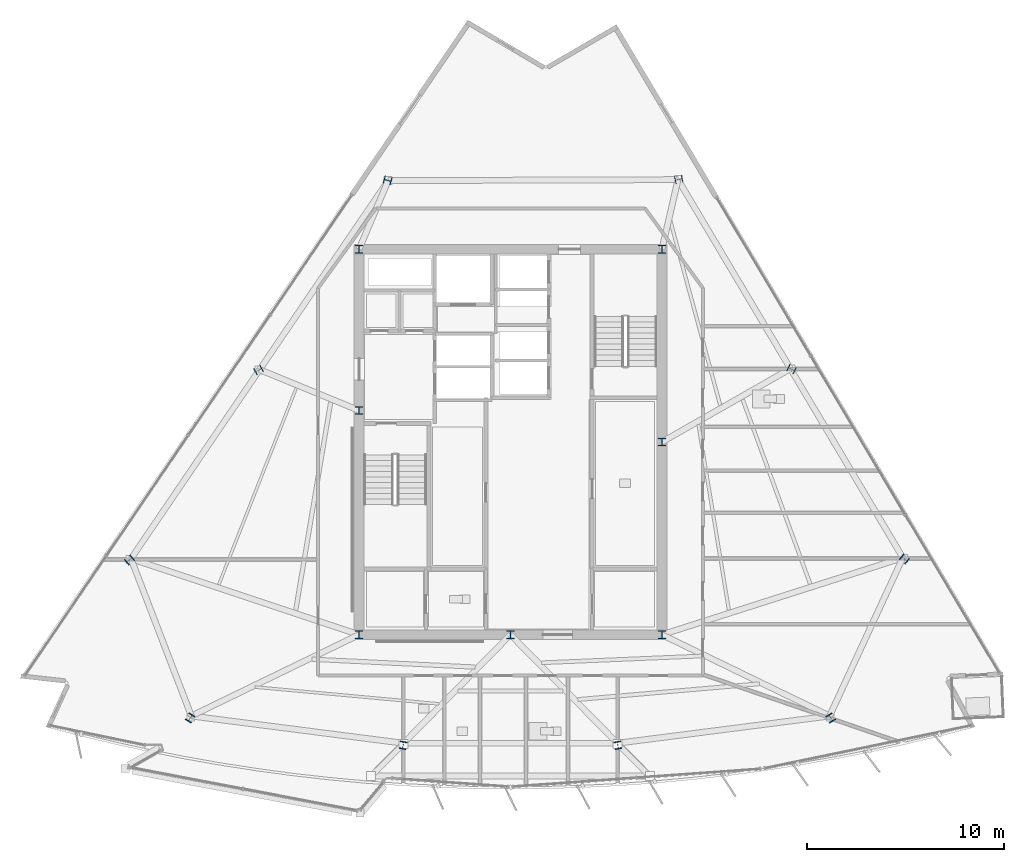
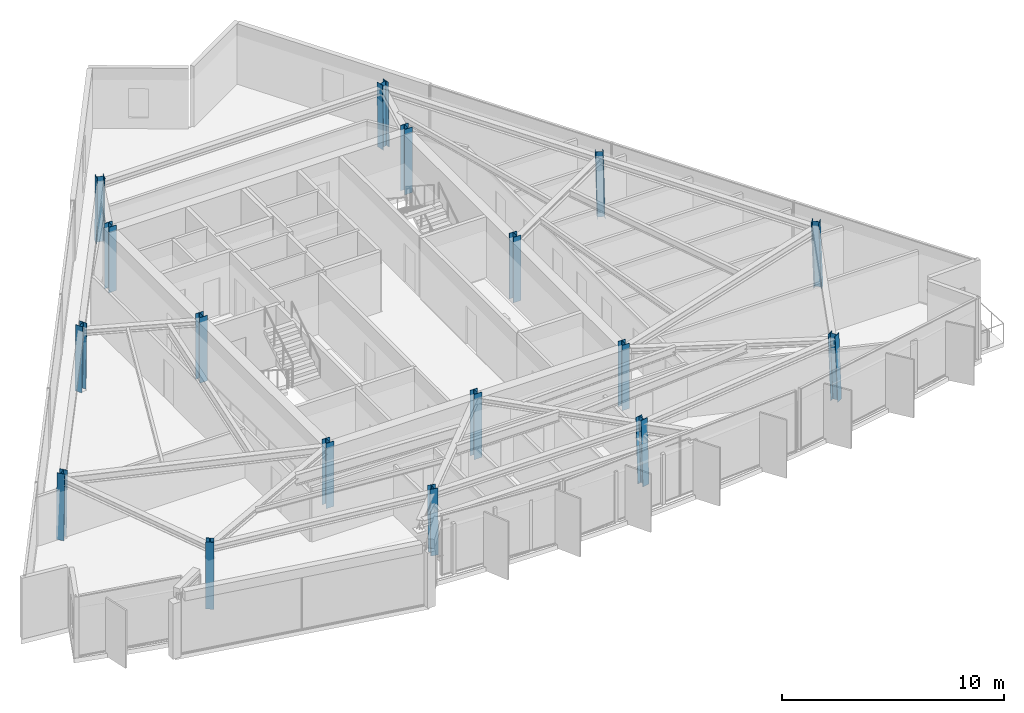
# One storey, part 1 of 14: 17 columns.
"""IFC4 building model written with IfcOpenShell, lengths in metres."""

import ifcopenshell
import ifcopenshell.guid

model = None  # the IFC model being written
_history = None  # IfcOwnerHistory: only IFC2X3 demands one
_inside = {}  # id of a spatial element -> (the spatial element, [elements in it])
_under = {}  # id of a project, library or spatial element -> (it, [spatial elements below it])
_declared = {}  # id of a project -> (the project, [libraries it declares])
_typed = {}  # id of a type object -> (the type object, [elements of that type])
_made_of = {}  # id of a material, layer set ... -> (it, [elements and type objects made of it])


def new_model(schema):
    """Start an empty IFC model of exactly this schema.

    Asked for "IFC4X3", IfcOpenShell would pick the latest addendum, in which some entities
    have other attributes; the version numbers below select the first issue.
    IFC2X3 requires an IfcOwnerHistory on every rooted entity: one is made here for all.
    """
    global model, _history
    if schema == "IFC4X3":
        model = ifcopenshell.file(schema_version=(4, 3, 0, 0))
    else:
        model = ifcopenshell.file(schema=schema)
    _inside.clear()
    _under.clear()
    _declared.clear()
    _typed.clear()
    _made_of.clear()
    _history = None
    if model.schema == "IFC2X3":
        org = make("IfcOrganization", Name="unknown")
        user = make(
            "IfcPersonAndOrganization",
            ThePerson=make("IfcPerson", FamilyName="unknown"),
            TheOrganization=org,
        )
        app = make(
            "IfcApplication",
            ApplicationDeveloper=org,
            Version="unknown",
            ApplicationFullName="unknown",
            ApplicationIdentifier="unknown",
        )
        _history = make(
            "IfcOwnerHistory",
            OwningUser=user,
            OwningApplication=app,
            ChangeAction="ADDED",
            CreationDate=0,
        )
    return model


def make(cls, **values):
    """One entity of the class cls with the attributes given. An attribute that is None is left unset."""
    return model.create_entity(
        cls, **{name: value for name, value in values.items() if value is not None}
    )


def rooted(cls, **values):
    """An entity with a GlobalId (a new one), such as an element, a storey or a relation."""
    return make(cls, GlobalId=ifcopenshell.guid.new(), OwnerHistory=_history, **values)


def si_unit(unit_type, name, prefix=None):
    """IfcSIUnit, for example si_unit("LENGTHUNIT", "METRE", prefix="MILLI")."""
    return make("IfcSIUnit", UnitType=unit_type, Prefix=prefix, Name=name)


def assignment(units):
    """IfcUnitAssignment: the units of a project."""
    return None if units is None else make("IfcUnitAssignment", Units=units)


def point(xyz):
    """IfcCartesianPoint."""
    return None if xyz is None else make("IfcCartesianPoint", Coordinates=xyz)


def direction(xyz):
    """IfcDirection."""
    return None if xyz is None else make("IfcDirection", DirectionRatios=xyz)


def frame(location, z_axis=None, x_axis=None):
    """IfcAxis2Placement3D, a coordinate frame: its origin and axes. An axis left out is left unset."""
    return make(
        "IfcAxis2Placement3D",
        Location=point(location),
        Axis=direction(z_axis),
        RefDirection=direction(x_axis),
    )


def frame_2d(location, x_axis=None):
    """IfcAxis2Placement2D, a coordinate frame in the plane: its origin and x axis."""
    return make(
        "IfcAxis2Placement2D", Location=point(location), RefDirection=direction(x_axis)
    )


def origin():
    """The frame at (0, 0, 0) with its axes left unset."""
    return frame((0.0, 0.0, 0.0))


def origin_2d():
    """The frame at (0, 0) in the plane with its x axis left unset."""
    return frame_2d((0.0, 0.0))


def place(relative_to, where):
    """IfcLocalPlacement: puts the frame where relative to a parent placement (None: the world)."""
    return make(
        "IfcLocalPlacement", PlacementRelTo=relative_to, RelativePlacement=where
    )


def context(
    kind, dimensions, precision=None, world=None, true_north=None, identifier=None
):
    """IfcGeometricRepresentationContext, for example the 3D "Model" context."""
    return make(
        "IfcGeometricRepresentationContext",
        ContextIdentifier=identifier,
        ContextType=kind,
        CoordinateSpaceDimension=dimensions,
        Precision=precision,
        WorldCoordinateSystem=world,
        TrueNorth=true_north,
    )


def subcontext(parent, identifier, kind, view, scale=None):
    """IfcGeometricRepresentationSubContext, for example "Body" below "Model"."""
    return make(
        "IfcGeometricRepresentationSubContext",
        ContextIdentifier=identifier,
        ContextType=kind,
        ParentContext=parent,
        TargetScale=scale,
        TargetView=view,
    )


def project(units=None, contexts=None):
    """IfcProject with its units and contexts."""
    return rooted(
        "IfcProject",
        Name="project",
        RepresentationContexts=contexts,
        UnitsInContext=assignment(units),
    )


def spatial(cls, under=None, at=None, **own):
    """A site, building, storey or space (cls), placed at a placement, below another one or the project."""
    s = rooted(cls, ObjectPlacement=at, **own)
    if under is not None:
        _under.setdefault(under.id(), (under, []))[1].append(s)
    return s


def profile(cls, at=None, kind="AREA", **sizes):
    """A parametric profile (cls). Its sizes go by their IFC names, for example OverallWidth=200.0."""
    return make(cls, ProfileType=kind, Position=at, **sizes)


def i_section(**sizes):
    """IfcIShapeProfileDef."""
    return profile("IfcIShapeProfileDef", **sizes)


def extrude(swept, where, along, depth):
    """IfcExtrudedAreaSolid: the profile swept, set in the frame where, extruded along a direction by depth."""
    return make(
        "IfcExtrudedAreaSolid",
        SweptArea=swept,
        Position=where,
        ExtrudedDirection=direction(along),
        Depth=depth,
    )


def shape(context_of_items, identifier, shape_type, items):
    """IfcShapeRepresentation: the items that make up one representation, for example the "Body"."""
    return make(
        "IfcShapeRepresentation",
        ContextOfItems=context_of_items,
        RepresentationIdentifier=identifier,
        RepresentationType=shape_type,
        Items=items,
    )


def material(Name=None, Category=None):
    """IfcMaterial."""
    return make("IfcMaterial", Name=Name, Category=Category)


def material_profile(
    of_material, cross_section, Name=None, Category=None, Priority=None
):
    """IfcMaterialProfile: a cross section and its material."""
    return make(
        "IfcMaterialProfile",
        Name=Name,
        Material=of_material,
        Profile=cross_section,
        Priority=Priority,
        Category=Category,
    )


def profile_set(profiles, Name=None, composite=None):
    """IfcMaterialProfileSet."""
    return make(
        "IfcMaterialProfileSet",
        Name=Name,
        MaterialProfiles=profiles,
        CompositeProfile=composite,
    )


def made_of(thing, what):
    """Note that an element or type object is made of a material, layer set ...; save() writes the relation."""
    if what is not None:
        _made_of.setdefault(what.id(), (what, []))[1].append(thing)
    return thing


def type_object(cls, material=None, **own):
    """A type object (cls), such as IfcWallType, which elements share."""
    return made_of(rooted(cls, **own), material)


def element(
    cls,
    number,
    at=None,
    inside=None,
    cuts=None,
    type_object=None,
    material=None,
    context=None,
    identifier="Body",
    shape_type=None,
    held_by="IfcProductDefinitionShape",
    body=None,
    shapes=None,
    **own,
):
    """One element of the class cls, such as IfcWall. Its Tag is "e" and its number.

    at: its placement. inside: the storey or other place that contains it. cuts: it is an
    opening in that element (IfcRelVoidsElement). A single representation is given by context,
    identifier, shape_type and body (its items); several are given by shapes. held_by: the class
    of the entity that holds the representations. save() writes the other relations.
    """
    e = rooted(cls, Tag="e%d" % number, ObjectPlacement=at, **own)
    if body is not None:
        shapes = [shape(context, identifier, shape_type, body)]
    if shapes is not None:
        e.Representation = make(held_by, Representations=shapes)
    if inside is not None:
        _inside.setdefault(inside.id(), (inside, []))[1].append(e)
    if cuts is not None:
        rooted(
            "IfcRelVoidsElement", RelatingBuildingElement=cuts, RelatedOpeningElement=e
        )
    if type_object is not None:
        _typed.setdefault(type_object.id(), (type_object, []))[1].append(e)
    return made_of(e, material)


def aggregate(whole, parts):
    """IfcRelAggregates: a whole, such as a stair, and the parts it consists of."""
    return rooted("IfcRelAggregates", RelatingObject=whole, RelatedObjects=parts)


def save(model, path):
    """Write the relations noted so far, then the file.

    IfcRelAggregates (storeys below a building ...), IfcRelContainedInSpatialStructure (elements
    in a storey), IfcRelDefinesByType, IfcRelAssociatesMaterial and IfcRelDeclares: one each for
    every whole, place, type object, material and project.
    """
    for whole, parts in _under.values():
        aggregate(whole, parts)
    for where, things in _inside.values():
        rooted(
            "IfcRelContainedInSpatialStructure",
            RelatedElements=things,
            RelatingStructure=where,
        )
    for kind, things in _typed.values():
        rooted("IfcRelDefinesByType", RelatedObjects=things, RelatingType=kind)
    for what, things in _made_of.values():
        rooted("IfcRelAssociatesMaterial", RelatedObjects=things, RelatingMaterial=what)
    for by, libraries in _declared.values():
        rooted("IfcRelDeclares", RelatingContext=by, RelatedDefinitions=libraries)
    model.write(path)


model = new_model("IFC4")

# Units and contexts
model_context = context("Model", 3, precision=1e-05, world=origin(), true_north=direction((0.0, 1.0)))
body_context = subcontext(model_context, "Body", "Model", "MODEL_VIEW")
ifc_project = project(units=[si_unit("LENGTHUNIT", "METRE"), si_unit("AREAUNIT", "SQUARE_METRE"), si_unit("VOLUMEUNIT", "CUBIC_METRE"), si_unit("PLANEANGLEUNIT", "RADIAN"), si_unit("MASSUNIT", "GRAM", prefix="KILO")], contexts=[model_context])

# Site, building, storey
site_placement = place(None, origin())
site = spatial("IfcSite", under=ifc_project, at=site_placement, CompositionType="ELEMENT")
building_placement = place(site_placement, origin())
building = spatial("IfcBuilding", under=site, at=building_placement, Name="Savorim Split Tower", CompositionType="ELEMENT")
storey_placement = place(building_placement, frame((0.0, 0.0, 230.699951171875)))
storey = spatial("IfcBuildingStorey", under=building, at=storey_placement, Name="L61", CompositionType="ELEMENT", Elevation=230.699951171875)

# Columns
ifc_material = material(Name="Steel S355", Category="steel")
ifc_material_profile_1 = material_profile(ifc_material, i_section(OverallWidth=0.3740234375, OverallDepth=0.3720703125, WebThickness=0.01220703125, FlangeThickness=0.02001953125, FilletRadius=0.014892578125, at=origin_2d()), Name="HD 360x196")
ifc_profile_set_1 = profile_set([ifc_material_profile_1], Name="Steel S355")
column_type_1 = type_object("IfcColumnType", Name="COL-HD-196", PredefinedType="COLUMN", material=ifc_profile_set_1)
column_1_placement = place(storey_placement, frame((-16.2998046875, -13.65380859375, 0.005615234375), z_axis=(0.020596292833, 0.033511459955, 0.999226087917), x_axis=(-0.851954850327, 0.523615252838, 0.0)))
element("IfcColumn", 1, at=column_1_placement, inside=storey, type_object=column_type_1, Name="L61 Tapered Perimeter Column PC-S1", PredefinedType="COLUMN", context=body_context, shape_type="SweptSolid", body=[
    extrude(i_section(OverallWidth=0.3740234375, OverallDepth=0.3720703125, WebThickness=0.01220703125, FlangeThickness=0.02001953125, FilletRadius=0.014892578125, at=origin_2d()), origin(), (0.0, 0.0, 1.0), 3.591552734375),
])
for number, where, z_axis, x_axis, name in (
    (2, (-5.462890625, -15.045166015625, 0.005615234375), (0.006934288159, 0.035283289748, 0.999353293441), (-0.981229659911, 0.192842823335, 0.0), "L61 Tapered Perimeter Column PC-S2"),
    (3, (5.462890625, -15.045166015625, 0.005615234375), (-0.006934288159, 0.035283289748, 0.999353293441), (-0.981229659911, -0.192842823335, 0.0), "L61 Tapered Perimeter Column PC-S3"),
):
    element("IfcColumn", number, at=place(storey_placement, frame(where, z_axis=z_axis, x_axis=x_axis)), inside=storey, type_object=column_type_1, Name=name, PredefinedType="COLUMN", context=body_context, shape_type="SweptSolid", body=[
        extrude(i_section(OverallWidth=0.3740234375, OverallDepth=0.3720703125, WebThickness=0.01220703125, FlangeThickness=0.02001953125, FilletRadius=0.014892578125, at=origin_2d()), origin(), (0.0, 0.0, 1.0), 3.59130859375),
    ])
column_2_placement = place(storey_placement, frame((16.2998046875, -13.65380859375, 0.005615234375), z_axis=(-0.020596292833, 0.033511459955, 0.999226087917), x_axis=(-0.851954850327, -0.523615252838, 0.0)))
element("IfcColumn", 4, at=column_2_placement, inside=storey, type_object=column_type_1, Name="L61 Tapered Perimeter Column PC-S4", PredefinedType="COLUMN", context=body_context, shape_type="SweptSolid", body=[
    extrude(i_section(OverallWidth=0.3740234375, OverallDepth=0.3720703125, WebThickness=0.01220703125, FlangeThickness=0.02001953125, FilletRadius=0.014892578125, at=origin_2d()), origin(), (0.0, 0.0, 1.0), 3.591552734375),
])
column_3_placement = place(storey_placement, frame((20.0439453125, -5.563720703125, 0.005615234375), z_axis=(-0.026107436898, 0.021620221181, 0.999425318758), x_axis=(-0.637813971185, -0.770190455771, 0.0)))
element("IfcColumn", 5, at=column_3_placement, inside=storey, type_object=column_type_1, Name="L61 Tapered Perimeter Column PC-E1", PredefinedType="COLUMN", context=body_context, shape_type="SweptSolid", body=[
    extrude(i_section(OverallWidth=0.3740234375, OverallDepth=0.3720703125, WebThickness=0.01220703125, FlangeThickness=0.02001953125, FilletRadius=0.014892578125, at=origin_2d()), origin(), (0.0, 0.0, 1.0), 3.5908203125),
])
column_4_placement = place(storey_placement, frame((14.302734375, 4.091552734375, 0.005615234375), z_axis=(-0.018907326549, 0.00952167524, 0.999775900241), x_axis=(-0.449781931574, -0.893138406984, 0.0)))
element("IfcColumn", 6, at=column_4_placement, inside=storey, type_object=column_type_1, Name="L61 Tapered Perimeter Column PC-E2", PredefinedType="COLUMN", context=body_context, shape_type="SweptSolid", body=[
    extrude(i_section(OverallWidth=0.3740234375, OverallDepth=0.3720703125, WebThickness=0.01220703125, FlangeThickness=0.02001953125, FilletRadius=0.014892578125, at=origin_2d()), origin(), (0.0, 0.0, 1.0), 3.589599609375),
])
for number, where, z_axis, x_axis, name in (
    (7, (8.561279296875, 13.746826171875, 0.005615234375), (-0.011699842352, -0.002516826552, 0.999928387072), (0.210305364179, -0.977635746993, 0.0), "L61 Tapered Perimeter Column PC-E3"),
    (8, (-6.249267578125, 13.697998046875, 0.005615234375), (0.008843163607, -0.002516900411, 0.999957730942), (0.273743828055, 0.961802639112, 0.0), "L61 Tapered Perimeter Column PC-W1"),
):
    element("IfcColumn", number, at=place(storey_placement, frame(where, z_axis=z_axis, x_axis=x_axis)), inside=storey, type_object=column_type_1, Name=name, PredefinedType="COLUMN", context=body_context, shape_type="SweptSolid", body=[
        extrude(i_section(OverallWidth=0.3740234375, OverallDepth=0.3720703125, WebThickness=0.01220703125, FlangeThickness=0.02001953125, FilletRadius=0.014892578125, at=origin_2d()), origin(), (0.0, 0.0, 1.0), 3.589111328125),
    ])
column_5_placement = place(storey_placement, frame((-12.8173828125, 4.042724609375, 0.005615234375), z_axis=(0.017003572908, 0.009522000828, 0.999810086971), x_axis=(-0.488603368932, 0.87250601595, 0.0)))
element("IfcColumn", 9, at=column_5_placement, inside=storey, type_object=column_type_1, Name="L61 Tapered Perimeter Column PC-W2", PredefinedType="COLUMN", context=body_context, shape_type="SweptSolid", body=[
    extrude(i_section(OverallWidth=0.3740234375, OverallDepth=0.3720703125, WebThickness=0.01220703125, FlangeThickness=0.02001953125, FilletRadius=0.014892578125, at=origin_2d()), origin(), (0.0, 0.0, 1.0), 3.589599609375),
])
column_6_placement = place(storey_placement, frame((-19.3857421875, -5.612548828125, 0.005615234375), z_axis=(0.025224163578, 0.021620711639, 0.999447990843), x_axis=(-0.650791373456, 0.759256602365, 0.0)))
element("IfcColumn", 10, at=column_6_placement, inside=storey, type_object=column_type_1, Name="L61 Tapered Perimeter Column PC-W3", PredefinedType="COLUMN", context=body_context, shape_type="SweptSolid", body=[
    extrude(i_section(OverallWidth=0.3740234375, OverallDepth=0.3720703125, WebThickness=0.01220703125, FlangeThickness=0.02001953125, FilletRadius=0.014892578125, at=origin_2d()), origin(), (0.0, 0.0, 1.0), 3.5908203125),
])
ifc_material_profile_2 = material_profile(ifc_material, i_section(OverallWidth=0.39794921875, OverallDepth=0.386962890625, WebThickness=0.013427734375, FlangeThickness=0.02197265625, FilletRadius=0.014892578125, at=origin_2d()), Name="HD 400x262")
ifc_profile_set_2 = profile_set([ifc_material_profile_2], Name="Steel S355")
column_type_2 = type_object("IfcColumnType", Name="COL-HD-262", PredefinedType="COLUMN", material=ifc_profile_set_2)
for number, where, z_axis, x_axis, name in (
    (11, (-7.699951171875, -9.39990234375, 0.0), (0.0, 0.0, 1.0), (1.0, 0.0, 0.0), "L61 Core Structural Column TC-C1"),
    (12, (7.699951171875, -9.39990234375, 0.0), (0.0, 0.0, 1.0), (1.0, 0.0, 0.0), "L61 Core Structural Column TC-C2"),
    (13, (7.699951171875, 10.199951171875, 0.0), (0.0, 0.0, 1.0), (1.0, 0.0, 0.0), "L61 Core Structural Column TC-C3"),
    (14, (-7.699951171875, 10.199951171875, 0.0), (0.0, 0.0, 1.0), (1.0, 0.0, 0.0), "L61 Core Structural Column TC-C4"),
    (15, (0.0, -9.39990234375, 0.0), (0.0, 0.0, 1.0), (1.0, 0.0, 0.0), "L61 Core Structural Column TC-C5"),
    (16, (7.699951171875, 0.39990234375, 0.0), (0.0, 0.0, 1.0), (1.0, 0.0, 0.0), "L61 Core Structural Column TC-C6"),
    (17, (-7.699951171875, 2.0, 0.0), (0.0, 0.0, 1.0), (1.0, 0.0, 0.0), "L61 Core Structural Column TC-C7"),
):
    element("IfcColumn", number, at=place(storey_placement, frame(where, z_axis=z_axis, x_axis=x_axis)), inside=storey, type_object=column_type_2, Name=name, PredefinedType="COLUMN", context=body_context, shape_type="SweptSolid", body=[
        extrude(i_section(OverallWidth=0.39794921875, OverallDepth=0.386962890625, WebThickness=0.013427734375, FlangeThickness=0.02197265625, FilletRadius=0.014892578125, at=origin_2d()), origin(), (0.0, 0.0, 1.0), 3.60009765625),
    ])

save(model, "model.ifc")
